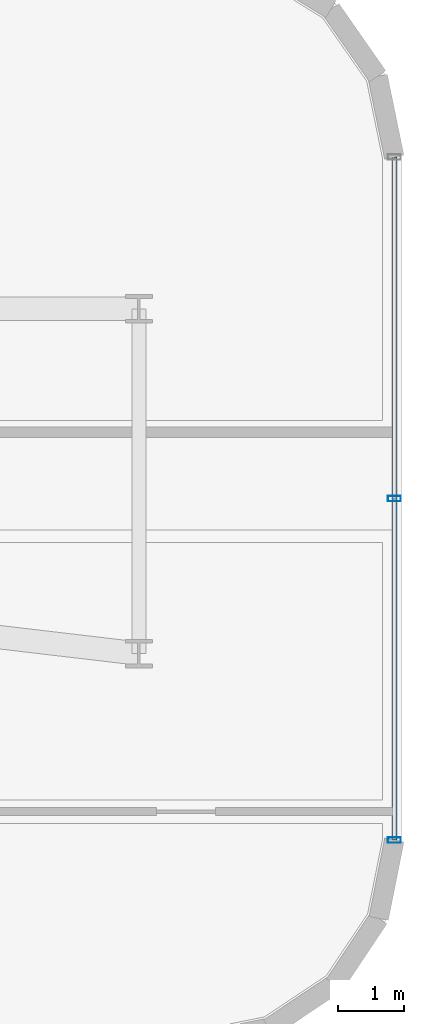
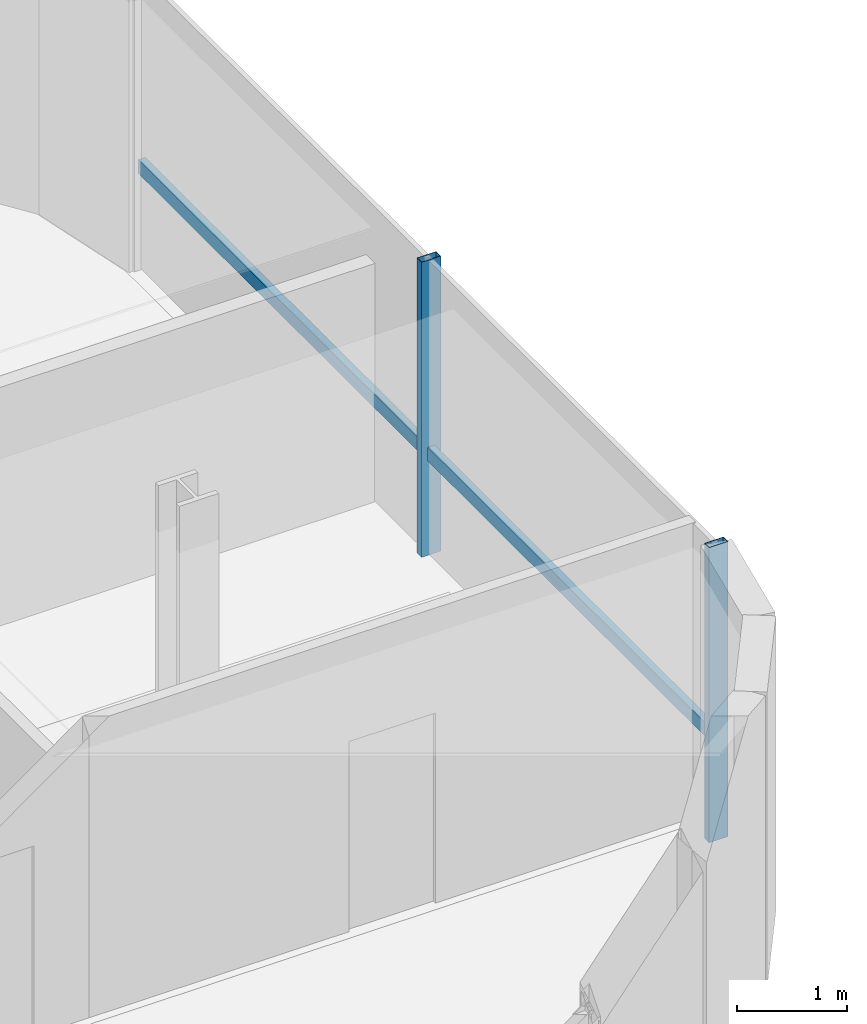
# One storey, part 10 of 22: 3 members, 1 element without a shape of its own.
"""IFC4 building model written with IfcOpenShell, lengths in metres."""

from ifc_helpers import new_model, si_unit, direction, frame, origin, origin_2d, place, context, subcontext, project, spatial, hollow_rectangle, extrude, source, transform, mapped, material, material_profile, profile_set, type_object, element, aggregate, save


model = new_model("IFC4")

# Units and contexts
model_context = context("Model", 3, precision=1e-05, world=origin(), true_north=direction((0.0, 1.0)))
body_context = subcontext(model_context, "Body", "Model", "MODEL_VIEW")
ifc_project = project(units=[si_unit("LENGTHUNIT", "METRE"), si_unit("AREAUNIT", "SQUARE_METRE"), si_unit("VOLUMEUNIT", "CUBIC_METRE"), si_unit("PLANEANGLEUNIT", "RADIAN"), si_unit("MASSUNIT", "GRAM", prefix="KILO")], contexts=[model_context])

# Site, building, storey
site_placement = place(None, origin())
site = spatial("IfcSite", under=ifc_project, at=site_placement, CompositionType="ELEMENT")
building_placement = place(site_placement, origin())
building = spatial("IfcBuilding", under=site, at=building_placement, Name="Valdorenza Pilgrim Sanctuary Tower", CompositionType="ELEMENT")
storey_placement = place(building_placement, frame((0.0, 0.0, 209.0)))
storey = spatial("IfcBuildingStorey", under=building, at=storey_placement, Name="L53", CompositionType="ELEMENT", Elevation=209.0)

# Curtain wall, members
ifc_material_1 = material(Name="Curtain-wall IGU glazing", Category="glass")
curtain_wall_type = type_object("IfcCurtainWallType", Name="CW-SYS-02", PredefinedType="NOTDEFINED", material=ifc_material_1)
curtain_wall_placement = place(storey_placement, origin())
curtain_wall = element("IfcCurtainWall", 1, at=curtain_wall_placement, inside=storey, type_object=curtain_wall_type, Name="L53 Curtain Wall CW-L53-1-11", PredefinedType="NOTDEFINED")
ifc_material_2 = material(Name="Anodised aluminium AW-6060", Category="aluminium")
ifc_material_profile_1 = material_profile(ifc_material_2, hollow_rectangle(XDim=0.0849609375, YDim=0.199951171875, WallThickness=0.0048828125, at=origin_2d()), Name="ALU-M 200x85x5")
ifc_profile_set_1 = profile_set([ifc_material_profile_1], Name="Anodised aluminium AW-6060")
member_type_1 = type_object("IfcMemberType", Name="CW-MUL-02", PredefinedType="MULLION", material=ifc_profile_set_1)
shared_shape_1 = source(origin(), body_context, "Body", "SweptSolid", [
    extrude(hollow_rectangle(XDim=0.0849609375, YDim=0.199951171875, WallThickness=0.0048828125, at=origin_2d()), origin(), (0.0, 0.0, 1.0), 3.260009765625),
])
member_1_placement = place(storey_placement, frame((0.389892578125, 11.9111328125, 0.0), z_axis=(0.0, 0.0, 1.0), x_axis=(0.0, -1.0, 0.0)))
member_1 = element("IfcMember", 2, at=member_1_placement, type_object=member_type_1, Name="CW-L53-1-11 Mullion 2", PredefinedType="MULLION", context=body_context, shape_type="MappedRepresentation", body=[
    mapped(shared_shape_1, transform((0.0, 0.0, 0.0), x_axis=(1.0, 0.0, 0.0), y_axis=(0.0, 1.0, 0.0), z_axis=(0.0, 0.0, 1.0), scale=1.0)),
])
member_2_placement = place(storey_placement, frame((0.389892578125, 6.710693359375, 0.0), z_axis=(0.0, 0.0, 1.0), x_axis=(0.0, -1.0, 0.0)))
member_2 = element("IfcMember", 3, at=member_2_placement, type_object=member_type_1, Name="CW-L53-1-11 Mullion 3", PredefinedType="MULLION", context=body_context, shape_type="MappedRepresentation", body=[
    mapped(shared_shape_1, transform((0.0, 0.0, 0.0), x_axis=(1.0, 0.0, 0.0), y_axis=(0.0, 1.0, 0.0), z_axis=(0.0, 0.0, 1.0), scale=1.0)),
])
ifc_material_profile_2 = material_profile(ifc_material_2, hollow_rectangle(XDim=0.074951171875, YDim=0.14990234375, WallThickness=0.00390625, at=origin_2d()), Name="ALU-T 150x75x4")
ifc_profile_set_2 = profile_set([ifc_material_profile_2], Name="Anodised aluminium AW-6060")
member_type_2 = type_object("IfcMemberType", Name="CW-TRN-02", PredefinedType="USERDEFINED", material=ifc_profile_set_2)
shared_shape_2 = source(origin(), body_context, "Body", "SweptSolid", [
    extrude(hollow_rectangle(XDim=0.074951171875, YDim=0.14990234375, WallThickness=0.00390625, at=origin_2d()), origin(), (0.0, 0.0, 1.0), 10.400634765625),
])
member_3_placement = place(storey_placement, frame((0.389892578125, 17.111328125, 1.1201171875), z_axis=(0.0, -1.0, 0.0), x_axis=(1.0, 0.0, 0.0)))
member_3 = element("IfcMember", 4, at=member_3_placement, type_object=member_type_2, Name="CW-L53-1-11 Transom 1", ObjectType="TRANSOM", PredefinedType="USERDEFINED", context=body_context, shape_type="MappedRepresentation", body=[
    mapped(shared_shape_2, transform((0.0, 0.0, 0.0), x_axis=(1.0, 0.0, 0.0), y_axis=(0.0, 1.0, 0.0), z_axis=(0.0, 0.0, 1.0), scale=1.0)),
])
aggregate(curtain_wall, [member_1, member_2, member_3])

save(model, "model.ifc")
